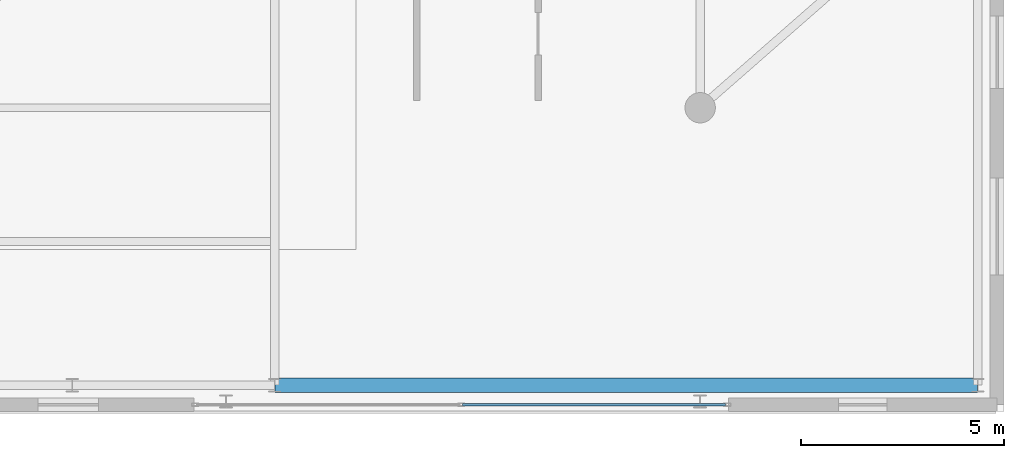
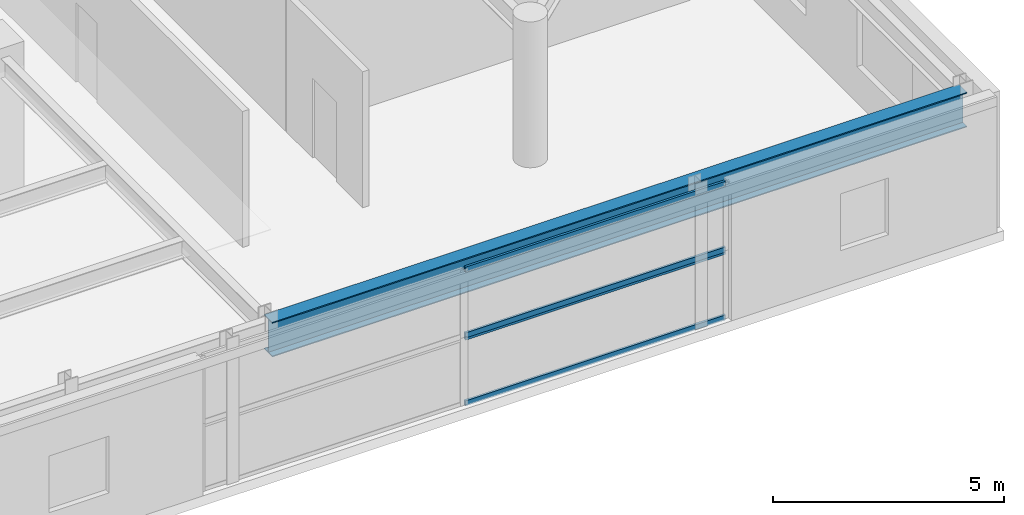
# One storey, part 17 of 26: 4 members, 1 beam, 2 elements without a shape of their own.
"""IFC4 building model written with IfcOpenShell, lengths in metres."""

from ifc_helpers import new_model, si_unit, direction, frame, origin, origin_2d, place, context, subcontext, project, spatial, hollow_rectangle, i_section, extrude, source, transform, mapped, material, layer, layer_set, material_profile, profile_set, type_object, element, aggregate, save


model = new_model("IFC4")

# Units and contexts
model_context = context("Model", 3, precision=1e-05, world=origin(), true_north=direction((0.0, 1.0)))
body_context = subcontext(model_context, "Body", "Model", "MODEL_VIEW")
ifc_project = project(units=[si_unit("LENGTHUNIT", "METRE"), si_unit("AREAUNIT", "SQUARE_METRE"), si_unit("VOLUMEUNIT", "CUBIC_METRE"), si_unit("PLANEANGLEUNIT", "RADIAN"), si_unit("MASSUNIT", "GRAM", prefix="KILO")], contexts=[model_context])

# Site, building, storey
site_placement = place(None, origin())
site = spatial("IfcSite", under=ifc_project, at=site_placement, CompositionType="ELEMENT")
building_placement = place(site_placement, origin())
building = spatial("IfcBuilding", under=site, at=building_placement, Name="Taldren Reach Tower", CompositionType="ELEMENT")
storey_placement = place(building_placement, frame((0.0, 0.0, 4.550048828125)))
storey = spatial("IfcBuildingStorey", under=building, at=storey_placement, Name="L01", CompositionType="ELEMENT", Elevation=4.550048828125)

# Beam
ifc_material_1 = material(Name="Steel Gr 350 (350PLUS)", Category="steel")
ifc_material_profile_1 = material_profile(ifc_material_1, i_section(OverallWidth=0.35009765625, OverallDepth=0.916015625, WebThickness=0.013916015625, FlangeThickness=0.028076171875, at=origin_2d()), Name="900WB257")
ifc_profile_set_1 = profile_set([ifc_material_profile_1], Name="Steel Gr 350 (350PLUS)")
beam_type = type_object("IfcBeamType", Name="BM-WB900", PredefinedType="BEAM", material=ifc_profile_set_1)
shared_shape_1 = source(origin(), body_context, "Body", "SweptSolid", [
    extrude(i_section(OverallWidth=0.35009765625, OverallDepth=0.916015625, WebThickness=0.013916015625, FlangeThickness=0.028076171875, at=origin_2d()), origin(), (0.0, 0.0, 1.0), 17.35009765625),
])
beam_placement = place(storey_placement, frame((52.0, 0.64990234375, 3.1318359375), z_axis=(1.0, 0.0, 0.0), x_axis=(0.0, 1.0, 0.0)))
element("IfcBeam", 1, at=beam_placement, inside=storey, type_object=beam_type, Name="Podium girder L01-PD07", PredefinedType="BEAM", context=body_context, shape_type="MappedRepresentation", body=[
    mapped(shared_shape_1, transform((0.0, 0.0, 0.0), scale=1.0)),
])

# Curtain wall, members
ifc_material_2 = material(Name="Aluminium and Low-E Glass Unitised System", Category="aluminium")
ifc_layer = layer(ifc_material_2, 0.159912109375)
ifc_layer_set = layer_set([ifc_layer], Name="Aluminium and Low-E Glass Unitised System")
curtain_wall_type = type_object("IfcCurtainWallType", Name="CW-SYS-1", PredefinedType="NOTDEFINED", material=ifc_layer_set)
curtain_wall_1_placement = place(storey_placement, origin())
curtain_wall_1 = element("IfcCurtainWall", 2, at=curtain_wall_1_placement, inside=storey, type_object=curtain_wall_type, Name="Unitised curtain wall CW1-L01-S3", PredefinedType="NOTDEFINED")
ifc_material_3 = material(Name="Anodised Aluminium 6063-T6", Category="aluminium")
ifc_material_profile_2 = material_profile(ifc_material_3, hollow_rectangle(XDim=0.06005859375, YDim=0.135009765625, WallThickness=0.00341796875, at=origin_2d()), Name="ALU-135x60x3.5RHS")
ifc_profile_set_2 = profile_set([ifc_material_profile_2], Name="Anodised Aluminium 6063-T6")
member_type = type_object("IfcMemberType", Name="CW-TRN-150", PredefinedType="USERDEFINED", material=ifc_profile_set_2)
shared_shape_2 = source(origin(), body_context, "Body", "SweptSolid", [
    extrude(hollow_rectangle(XDim=0.06005859375, YDim=0.135009765625, WallThickness=0.00341796875, at=origin_2d()), origin(), (0.0, 0.0, 1.0), 6.494873046875),
])
member_1_placement = place(storey_placement, frame((56.635009765625, 0.169921875, 0.030029296875), z_axis=(1.0, 0.0, 0.0), x_axis=(0.0, 1.0, 0.0)))
member_1 = element("IfcMember", 3, at=member_1_placement, type_object=member_type, Name="CW-1 transom 2.1", ObjectType="TRANSOM", PredefinedType="USERDEFINED", context=body_context, shape_type="MappedRepresentation", body=[
    mapped(shared_shape_2, transform((0.0, 0.0, 0.0), scale=1.0)),
])
member_2_placement = place(storey_placement, frame((56.635009765625, 0.169921875, 1.764892578125), z_axis=(1.0, 0.0, 0.0), x_axis=(0.0, 1.0, 0.0)))
member_2 = element("IfcMember", 4, at=member_2_placement, type_object=member_type, Name="CW-1 transom 2.2", ObjectType="TRANSOM", PredefinedType="USERDEFINED", context=body_context, shape_type="MappedRepresentation", body=[
    mapped(shared_shape_2, transform((0.0, 0.0, 0.0), scale=1.0)),
])
aggregate(curtain_wall_1, [member_1, member_2])

curtain_wall_2_placement = place(storey_placement, origin())
curtain_wall_2 = element("IfcCurtainWall", 5, at=curtain_wall_2_placement, inside=storey, type_object=curtain_wall_type, Name="Unitised curtain wall CW1-L01-S3-T2", PredefinedType="NOTDEFINED")
member_3_placement = place(storey_placement, frame((56.635009765625, 0.169921875, 1.824951171875), z_axis=(1.0, 0.0, 0.0), x_axis=(0.0, 1.0, 0.0)))
member_3 = element("IfcMember", 6, at=member_3_placement, type_object=member_type, Name="CW-1 transom 2.1", ObjectType="TRANSOM", PredefinedType="USERDEFINED", context=body_context, shape_type="MappedRepresentation", body=[
    mapped(shared_shape_2, transform((0.0, 0.0, 0.0), scale=1.0)),
])
member_4_placement = place(storey_placement, frame((56.635009765625, 0.169921875, 3.56005859375), z_axis=(1.0, 0.0, 0.0), x_axis=(0.0, 1.0, 0.0)))
member_4 = element("IfcMember", 7, at=member_4_placement, type_object=member_type, Name="CW-1 transom 2.2", ObjectType="TRANSOM", PredefinedType="USERDEFINED", context=body_context, shape_type="MappedRepresentation", body=[
    mapped(shared_shape_2, transform((0.0, 0.0, 0.0), scale=1.0)),
])
aggregate(curtain_wall_2, [member_3, member_4])

save(model, "model.ifc")
